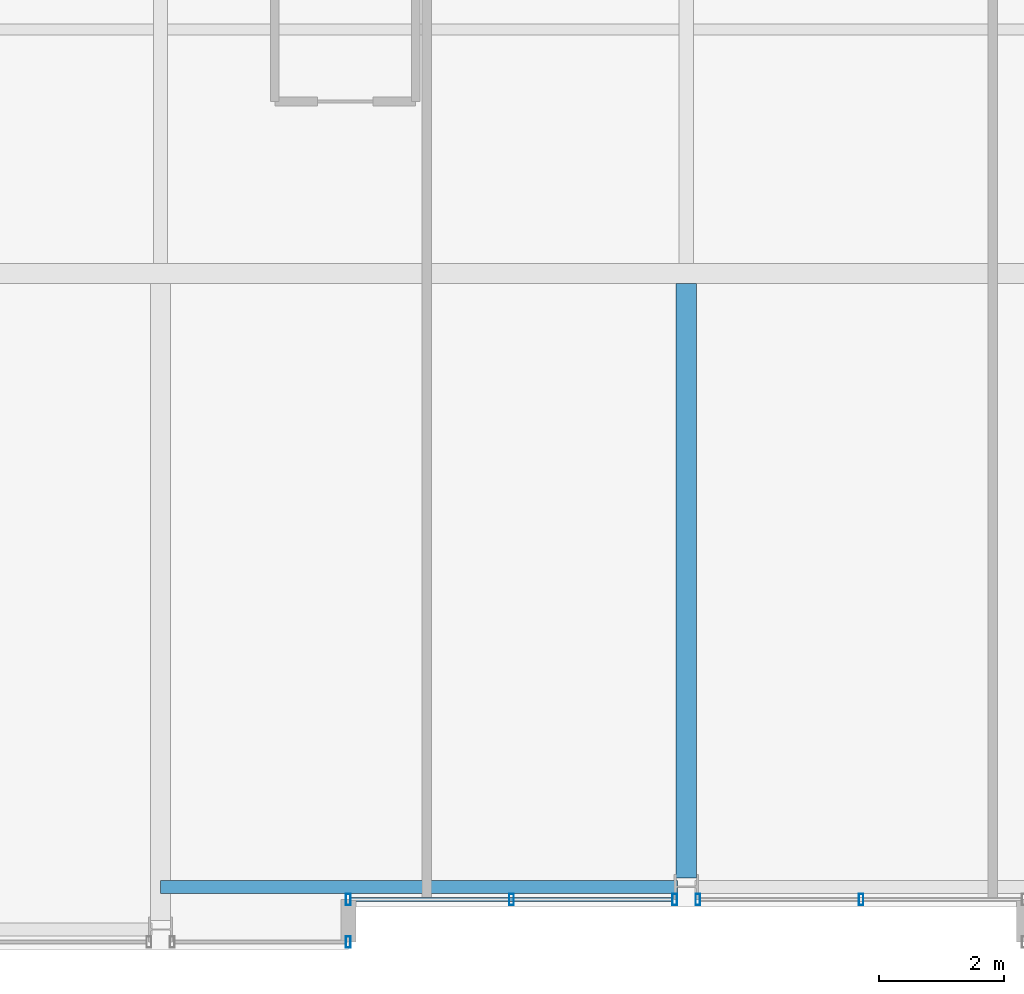
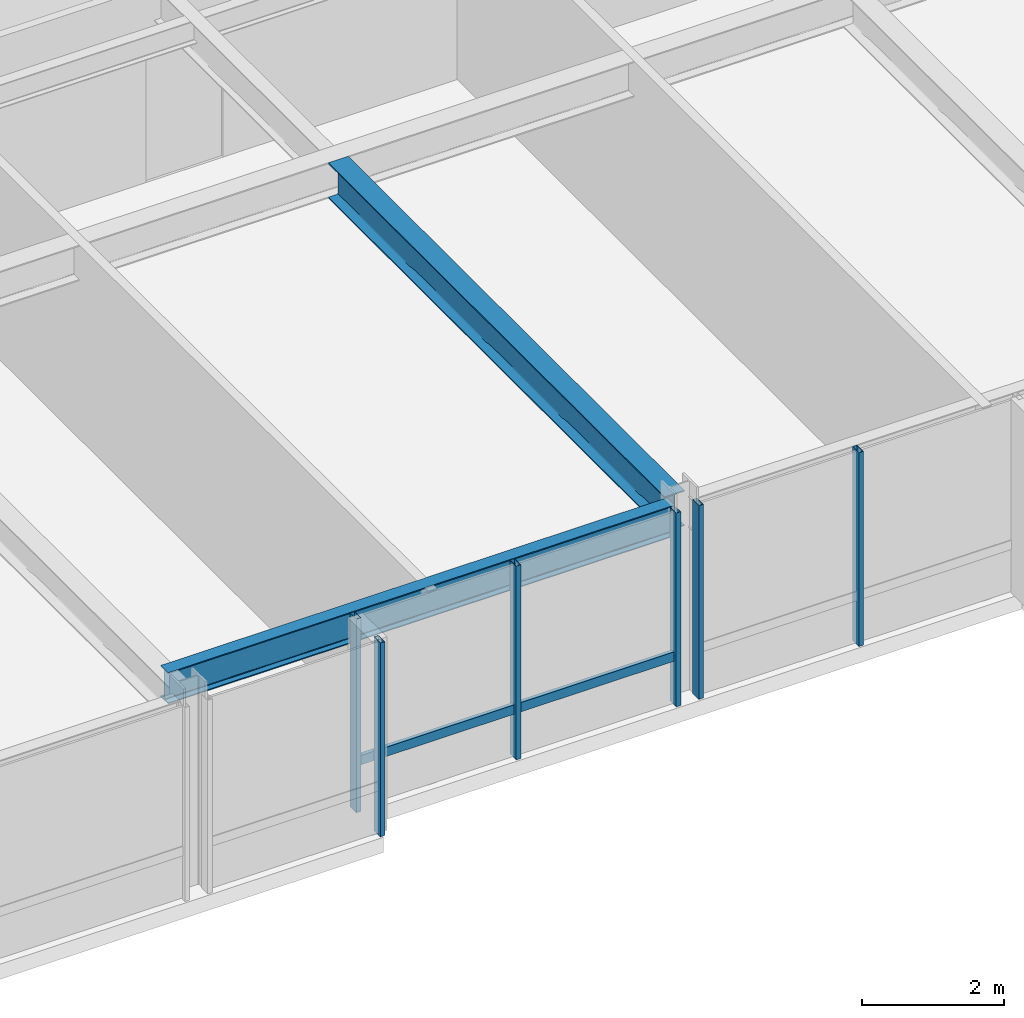
# One storey, part 5 of 30: 7 members, 2 beams, 3 elements without a shape of their own.
"""IFC4 building model written with IfcOpenShell, lengths in metres."""

from ifc_helpers import new_model, si_unit, direction, frame, origin, origin_2d, place, context, subcontext, project, spatial, hollow_rectangle, i_section, extrude, material, layer, layer_set, material_profile, profile_set, type_object, element, aggregate, save


model = new_model("IFC4")

# Units and contexts
model_context = context("Model", 3, precision=1e-05, world=origin(), true_north=direction((0.0, 1.0)))
body_context = subcontext(model_context, "Body", "Model", "MODEL_VIEW")
ifc_project = project(units=[si_unit("LENGTHUNIT", "METRE"), si_unit("AREAUNIT", "SQUARE_METRE"), si_unit("VOLUMEUNIT", "CUBIC_METRE"), si_unit("PLANEANGLEUNIT", "RADIAN"), si_unit("MASSUNIT", "GRAM", prefix="KILO")], contexts=[model_context])

# Site, building, storey
site_placement = place(None, origin())
site = spatial("IfcSite", under=ifc_project, at=site_placement, CompositionType="ELEMENT")
building_placement = place(site_placement, origin())
building = spatial("IfcBuilding", under=site, at=building_placement, Name="Drelvath Grand Hotel", CompositionType="ELEMENT")
storey_placement = place(building_placement, frame((0.0, 0.0, 215.89990234375)))
storey = spatial("IfcBuildingStorey", under=building, at=storey_placement, Name="L56", CompositionType="ELEMENT", Elevation=215.89990234375)

# Curtain wall, members
ifc_material_1 = material(Name="Platinum-Mist Anodised Aluminium Frame", Category="aluminium")
ifc_layer = layer(ifc_material_1, 0.199951171875)
ifc_layer_set = layer_set([ifc_layer], Name="Platinum-Mist Anodised Aluminium Frame")
curtain_wall_type = type_object("IfcCurtainWallType", Name="Stick Curtain Wall CW-05 Platinum Mist High-Rise", PredefinedType="NOTDEFINED", material=ifc_layer_set)
curtain_wall_1_placement = place(storey_placement, origin())
curtain_wall_1 = element("IfcCurtainWall", 1, at=curtain_wall_1_placement, inside=storey, type_object=curtain_wall_type, Name="L56 CW-05 Curtain Wall CW05-L56-SM1", PredefinedType="NOTDEFINED")
ifc_material_profile_1 = material_profile(ifc_material_1, hollow_rectangle(XDim=0.06494140625, YDim=0.159912109375, WallThickness=0.00390625, at=origin_2d()), Name="HSS160X65X4")
ifc_profile_set_1 = profile_set([ifc_material_profile_1], Name="Platinum-Mist Anodised Aluminium Frame")
member_type_1 = type_object("IfcMemberType", Name="Curtain Wall Horizontal Transom CW-05 HSS160X65X4", PredefinedType="USERDEFINED", material=ifc_profile_set_1)
member_1_placement = place(storey_placement, frame((-0.225341796875, 0.800048828125, 0.835205078125), z_axis=(-1.0, 0.0, 0.0), x_axis=(0.0, -1.0, 0.0)))
member_1 = element("IfcMember", 2, at=member_1_placement, type_object=member_type_1, Name="CW05-L56-SM1 Sill Transom", ObjectType="TRANSOM", PredefinedType="USERDEFINED", context=body_context, shape_type="SweptSolid", body=[
    extrude(hollow_rectangle(XDim=0.06494140625, YDim=0.159912109375, WallThickness=0.00390625, at=origin_2d()), origin(), (0.0, 0.0, 1.0), 5.134765625),
])
ifc_material_profile_2 = material_profile(ifc_material_1, hollow_rectangle(XDim=0.074951171875, YDim=0.179931640625, WallThickness=0.0048828125, at=origin_2d()), Name="HSS180X75X5")
ifc_profile_set_2 = profile_set([ifc_material_profile_2], Name="Platinum-Mist Anodised Aluminium Frame")
member_type_2 = type_object("IfcMemberType", Name="Curtain Wall Vertical Mullion CW-05 HSS180X75X5", PredefinedType="MULLION", material=ifc_profile_set_2)
member_2_placement = place(storey_placement, frame((-0.185302734375, 0.800048828125, 0.0), z_axis=(0.0, 0.0, 1.0), x_axis=(1.0, 0.0, 0.0)))
member_2 = element("IfcMember", 3, at=member_2_placement, type_object=member_type_2, Name="CW05-L56-SM1 Mullion 1", PredefinedType="MULLION", context=body_context, shape_type="SweptSolid", body=[
    extrude(hollow_rectangle(XDim=0.074951171875, YDim=0.179931640625, WallThickness=0.0048828125, at=origin_2d()), origin(), (0.0, 0.0, 1.0), 3.340087890625),
])
member_3_placement = place(storey_placement, frame((-2.792724609375, 0.800048828125, 0.0), z_axis=(0.0, 0.0, 1.0), x_axis=(1.0, 0.0, 0.0)))
member_3 = element("IfcMember", 4, at=member_3_placement, type_object=member_type_2, Name="CW05-L56-SM1 Mullion 2", PredefinedType="MULLION", context=body_context, shape_type="SweptSolid", body=[
    extrude(hollow_rectangle(XDim=0.074951171875, YDim=0.179931640625, WallThickness=0.0048828125, at=origin_2d()), origin(), (0.0, 0.0, 1.0), 3.340087890625),
])
member_4_placement = place(storey_placement, frame((-5.39990234375, 0.800048828125, 0.0), z_axis=(0.0, 0.0, 1.0), x_axis=(1.0, 0.0, 0.0)))
member_4 = element("IfcMember", 5, at=member_4_placement, type_object=member_type_2, Name="CW05-L56-SM1 Mullion 3", PredefinedType="MULLION", context=body_context, shape_type="SweptSolid", body=[
    extrude(hollow_rectangle(XDim=0.074951171875, YDim=0.179931640625, WallThickness=0.0048828125, at=origin_2d()), origin(), (0.0, 0.0, 1.0), 3.340087890625),
])
aggregate(curtain_wall_1, [member_2, member_3, member_4, member_1])

curtain_wall_2_placement = place(storey_placement, origin())
curtain_wall_2 = element("IfcCurtainWall", 6, at=curtain_wall_2_placement, inside=storey, type_object=curtain_wall_type, Name="L56 CW-05 Curtain Wall CW05-L56-SM2", PredefinedType="NOTDEFINED")
member_5_placement = place(storey_placement, frame((2.792724609375, 0.800048828125, 0.0), z_axis=(0.0, 0.0, 1.0), x_axis=(1.0, 0.0, 0.0)))
member_5 = element("IfcMember", 7, at=member_5_placement, type_object=member_type_2, Name="CW05-L56-SM2 Mullion 2", PredefinedType="MULLION", context=body_context, shape_type="SweptSolid", body=[
    extrude(hollow_rectangle(XDim=0.074951171875, YDim=0.179931640625, WallThickness=0.0048828125, at=origin_2d()), origin(), (0.0, 0.0, 1.0), 3.340087890625),
])
member_6_placement = place(storey_placement, frame((0.185302734375, 0.800048828125, 0.0), z_axis=(0.0, 0.0, 1.0), x_axis=(1.0, 0.0, 0.0)))
member_6 = element("IfcMember", 8, at=member_6_placement, type_object=member_type_2, Name="CW05-L56-SM2 Mullion 3", PredefinedType="MULLION", context=body_context, shape_type="SweptSolid", body=[
    extrude(hollow_rectangle(XDim=0.074951171875, YDim=0.179931640625, WallThickness=0.0048828125, at=origin_2d()), origin(), (0.0, 0.0, 1.0), 3.340087890625),
])
aggregate(curtain_wall_2, [member_5, member_6])

# Curtain wall, member
curtain_wall_3_placement = place(storey_placement, origin())
curtain_wall_3 = element("IfcCurtainWall", 9, at=curtain_wall_3_placement, inside=storey, type_object=curtain_wall_type, Name="L56 CW-05 Curtain Wall CW05-L56-SW3", PredefinedType="NOTDEFINED")
member_7_placement = place(storey_placement, frame((-5.39990234375, 0.1201171875, 0.0), z_axis=(0.0, 0.0, 1.0), x_axis=(1.0, 0.0, 0.0)))
member_7 = element("IfcMember", 10, at=member_7_placement, type_object=member_type_2, Name="CW05-L56-SW3 Mullion 1", PredefinedType="MULLION", context=body_context, shape_type="SweptSolid", body=[
    extrude(hollow_rectangle(XDim=0.074951171875, YDim=0.179931640625, WallThickness=0.0048828125, at=origin_2d()), origin(), (0.0, 0.0, 1.0), 3.340087890625),
])
aggregate(curtain_wall_3, [member_7])

# Beams
ifc_material_2 = material(Name="Steel ASTM A992 Gr 50", Category="steel")
ifc_material_profile_3 = material_profile(ifc_material_2, i_section(OverallWidth=0.210205078125, OverallDepth=0.53662109375, WebThickness=0.010986328125, FlangeThickness=0.017333984375, FilletRadius=0.01806640625, at=origin_2d()), Name="W21X68")
ifc_profile_set_3 = profile_set([ifc_material_profile_3], Name="Steel ASTM A992 Gr 50")
beam_type_1 = type_object("IfcBeamType", Name="Perimeter Spandrel Beam W21X68", PredefinedType="SPANDREL", material=ifc_profile_set_3)
beam_1_placement = place(storey_placement, frame((-8.39990234375, 1.0, 3.07177734375), z_axis=(1.0, 0.0, 0.0), x_axis=(0.0, 1.0, 0.0)))
element("IfcBeam", 11, at=beam_1_placement, inside=storey, type_object=beam_type_1, Name="L56 Spandrel South Mid W", PredefinedType="SPANDREL", context=body_context, shape_type="SweptSolid", body=[
    extrude(i_section(OverallWidth=0.210205078125, OverallDepth=0.53662109375, WebThickness=0.010986328125, FlangeThickness=0.017333984375, FilletRadius=0.01806640625, at=origin_2d()), origin(), (0.0, 0.0, 1.0), 8.260009765625),
])
ifc_material_profile_4 = material_profile(ifc_material_2, i_section(OverallWidth=0.323974609375, OverallDepth=0.611083984375, WebThickness=0.0126953125, FlangeThickness=0.01904296875, FilletRadius=0.02197265625, at=origin_2d()), Name="W24X104")
ifc_profile_set_4 = profile_set([ifc_material_profile_4], Name="Steel ASTM A992 Gr 50")
beam_type_2 = type_object("IfcBeamType", Name="Primary Floor Girder W24X104", PredefinedType="BEAM", material=ifc_profile_set_4)
beam_2_placement = place(storey_placement, frame((0.0, 1.139892578125, 3.034423828125), z_axis=(0.0, 1.0, 0.0), x_axis=(-1.0, 0.0, 0.0)))
element("IfcBeam", 12, at=beam_2_placement, inside=storey, type_object=beam_type_2, Name="L56 South Wing Girder 5", PredefinedType="BEAM", context=body_context, shape_type="SweptSolid", body=[
    extrude(i_section(OverallWidth=0.323974609375, OverallDepth=0.611083984375, WebThickness=0.0126953125, FlangeThickness=0.01904296875, FilletRadius=0.02197265625, at=origin_2d()), origin(), (0.0, 0.0, 1.0), 9.498046875),
])

save(model, "model.ifc")
